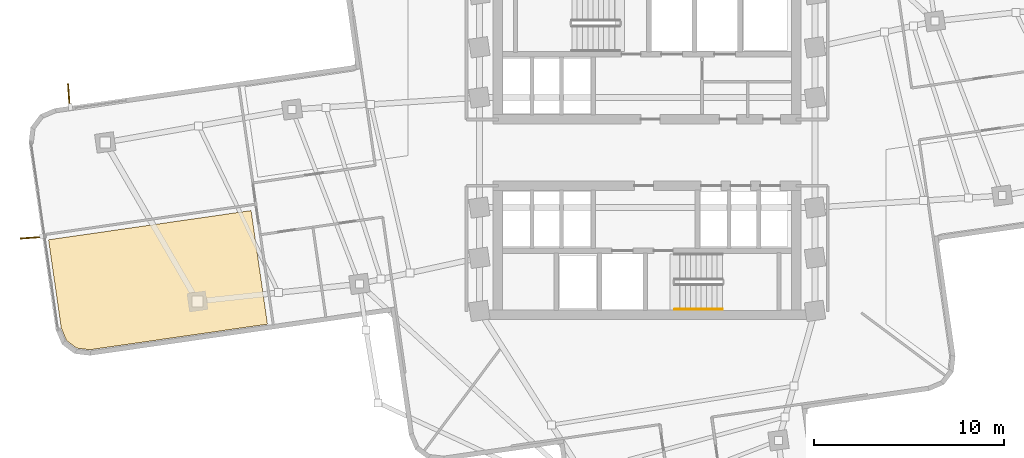
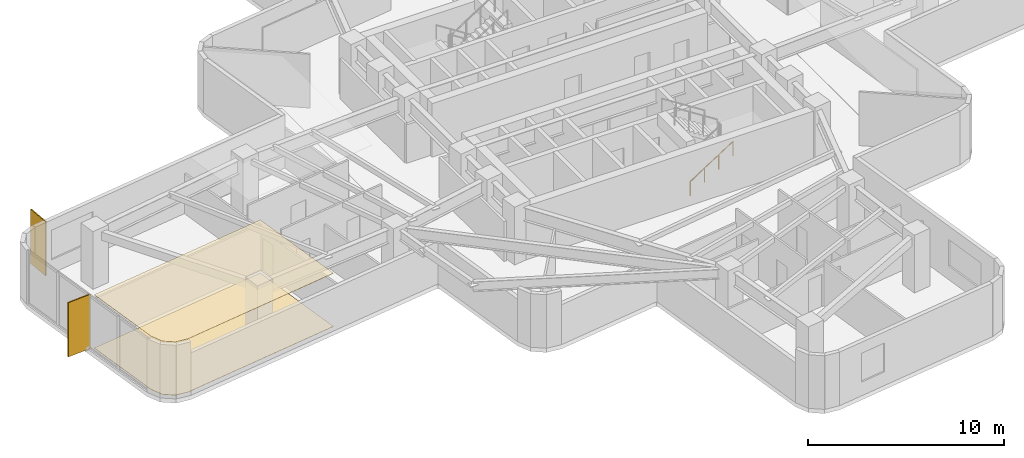
# One storey, part 10 of 13: 2 coverings, 2 shading devices, 1 railing.
"""IFC4 building model written with IfcOpenShell, lengths in metres."""

from ifc_helpers import new_model, si_unit, direction, frame, origin, origin_2d, place, context, subcontext, project, spatial, polyline, rectangle, circle, outline, extrude, material, layer, layer_set, type_object, element, save


model = new_model("IFC4")

# Units and contexts
model_context = context("Model", 3, precision=1e-05, world=origin(), true_north=direction((0.0, 1.0)))
body_context = subcontext(model_context, "Body", "Model", "MODEL_VIEW")
ifc_project = project(units=[si_unit("LENGTHUNIT", "METRE"), si_unit("AREAUNIT", "SQUARE_METRE"), si_unit("VOLUMEUNIT", "CUBIC_METRE"), si_unit("PLANEANGLEUNIT", "RADIAN"), si_unit("MASSUNIT", "GRAM", prefix="KILO")], contexts=[model_context])

# Site, building, storey
site_placement = place(None, origin())
site = spatial("IfcSite", under=ifc_project, at=site_placement, CompositionType="ELEMENT")
building_placement = place(site_placement, origin())
building = spatial("IfcBuilding", under=site, at=building_placement, Name="Solmarez Civic Tower", CompositionType="ELEMENT")
storey_placement = place(building_placement, frame((0.0, 0.0, 89.280029296875)))
storey = spatial("IfcBuildingStorey", under=building, at=storey_placement, Name="L23", CompositionType="ELEMENT", Elevation=89.280029296875)

# Coverings
ifc_material_1 = material(Name="Perforated Mineral-Fibre Acoustic Ceiling")
ifc_layer_1 = layer(ifc_material_1, 0.02490234375)
ifc_layer_set_1 = layer_set([ifc_layer_1], Name="Perforated Mineral-Fibre Acoustic Ceiling")
covering_type_1 = type_object("IfcCoveringType", Name="COV-CEIL-ACOUSTIC", PredefinedType="CEILING", material=ifc_layer_set_1)
covering_1_placement = place(storey_placement, frame((0.0, 0.0, 3.31494140625)))
element("IfcCovering", 1, at=covering_1_placement, inside=storey, type_object=covering_type_1, Name="L23 Suspended Acoustic Ceiling 4", PredefinedType="CEILING", context=body_context, shape_type="SweptSolid", body=[
    extrude(outline(polyline([(-31.56689453125, -4.59912109375), (-30.89404296875, -9.261962890625), (-30.615966796875, -9.9130859375), (-30.08203125, -10.31201171875), (-29.3779296875, -10.39599609375), (-20.02392578125, -9.049072265625), (-20.886962890625, -3.06005859375), (-31.56689453125, -4.59912109375)])), origin(), (0.0, 0.0, 1.0), 0.025146484375),
])
ifc_material_2 = material(Name="Polished Tropical Stone Terrazzo Flooring", Category="masonry")
ifc_layer_2 = layer(ifc_material_2, 0.02001953125)
ifc_layer_set_2 = layer_set([ifc_layer_2], Name="Polished Tropical Stone Terrazzo Flooring")
covering_type_2 = type_object("IfcCoveringType", Name="COV-FLOOR-TERRAZZO", PredefinedType="FLOORING", material=ifc_layer_set_2)
covering_2_placement = place(storey_placement, origin())
element("IfcCovering", 2, at=covering_2_placement, inside=storey, type_object=covering_type_2, Name="L23 Terrazzo Floor Finish 4", PredefinedType="FLOORING", context=body_context, shape_type="SweptSolid", body=[
    extrude(outline(polyline([(-31.56689453125, -4.59912109375), (-30.89404296875, -9.261962890625), (-30.615966796875, -9.9130859375), (-30.08203125, -10.31201171875), (-29.3779296875, -10.39599609375), (-20.02392578125, -9.049072265625), (-20.886962890625, -3.06005859375), (-31.56689453125, -4.59912109375)])), origin(), (0.0, 0.0, 1.0), 0.02001953125),
])

# Shading devices
ifc_material_3 = material(Name="Bronze Anodised Aluminium EN AW-6063 T6", Category="aluminium")
ifc_layer_3 = layer(ifc_material_3, 0.06494140625)
ifc_layer_set_3 = layer_set([ifc_layer_3], Name="Bronze Anodised Aluminium EN AW-6063 T6")
shading_device_type = type_object("IfcShadingDeviceType", Name="FIN-BRONZE-Z12", PredefinedType="USERDEFINED", material=ifc_layer_set_3)
for number, where, z_axis, x_axis, name in (
    (3, (-32.39697265625, -4.487060546875, -0.0400390625), (0.0, 0.0, 1.0), (-0.997526162365, -0.0702961976, 0.0), "L23 Anodised Bronze Solar Fin FIN-L23-01"),
    (4, (-30.491943359375, 2.946044921875, -0.0400390625), (0.0, 0.0, 1.0), (-0.0702961976, 0.997526162365, 0.0), "L23 Anodised Bronze Solar Fin FIN-L23-02"),
):
    element("IfcShadingDevice", number, at=place(storey_placement, frame(where, z_axis=z_axis, x_axis=x_axis)), inside=storey, type_object=shading_device_type, Name=name, ObjectType="FIN", PredefinedType="USERDEFINED", context=body_context, shape_type="SweptSolid", body=[
        extrude(rectangle(XDim=1.35009765625, YDim=0.06494140625, at=origin_2d()), origin(), (0.0, 0.0, 1.0), 3.3798828125),
    ])

# Railing
ifc_material_4 = material(Name="Brushed Stainless Steel Tube Handrail", Category="steel")
railing_type = type_object("IfcRailingType", Name="HANDRAIL-STAIR-900", PredefinedType="HANDRAIL", material=ifc_material_4)
railing_placement = place(storey_placement, frame((1.449951171875, -8.27001953125, 0.179931640625)))
element("IfcRailing", 5, at=railing_placement, inside=storey, type_object=railing_type, Name="L23 ST-2 stair handrail 1", PredefinedType="HANDRAIL", context=body_context, shape_type="SweptSolid", body=[
    extrude(circle(Radius=0.02392578125, at=origin_2d()), frame((0.0, 0.0, 0.8759765625), z_axis=(0.841162588446, 0.0, 0.540782303519), x_axis=(0.0, 1.0, 0.0)), (0.0, 0.0, 1.0), 2.995849609375),
    extrude(circle(Radius=0.02099609375, at=origin_2d()), origin(), (0.0, 0.0, 1.0), 0.851806640625),
    extrude(circle(Radius=0.02099609375, at=origin_2d()), frame((0.840087890625, 0.0, 0.5400390625)), (0.0, 0.0, 1.0), 0.851806640625),
    extrude(circle(Radius=0.02099609375, at=origin_2d()), frame((1.679931640625, 0.0, 1.080078125)), (0.0, 0.0, 1.0), 0.851806640625),
    extrude(circle(Radius=0.02099609375, at=origin_2d()), frame((2.52001953125, 0.0, 1.6201171875)), (0.0, 0.0, 1.0), 0.851806640625),
])

save(model, "model.ifc")
